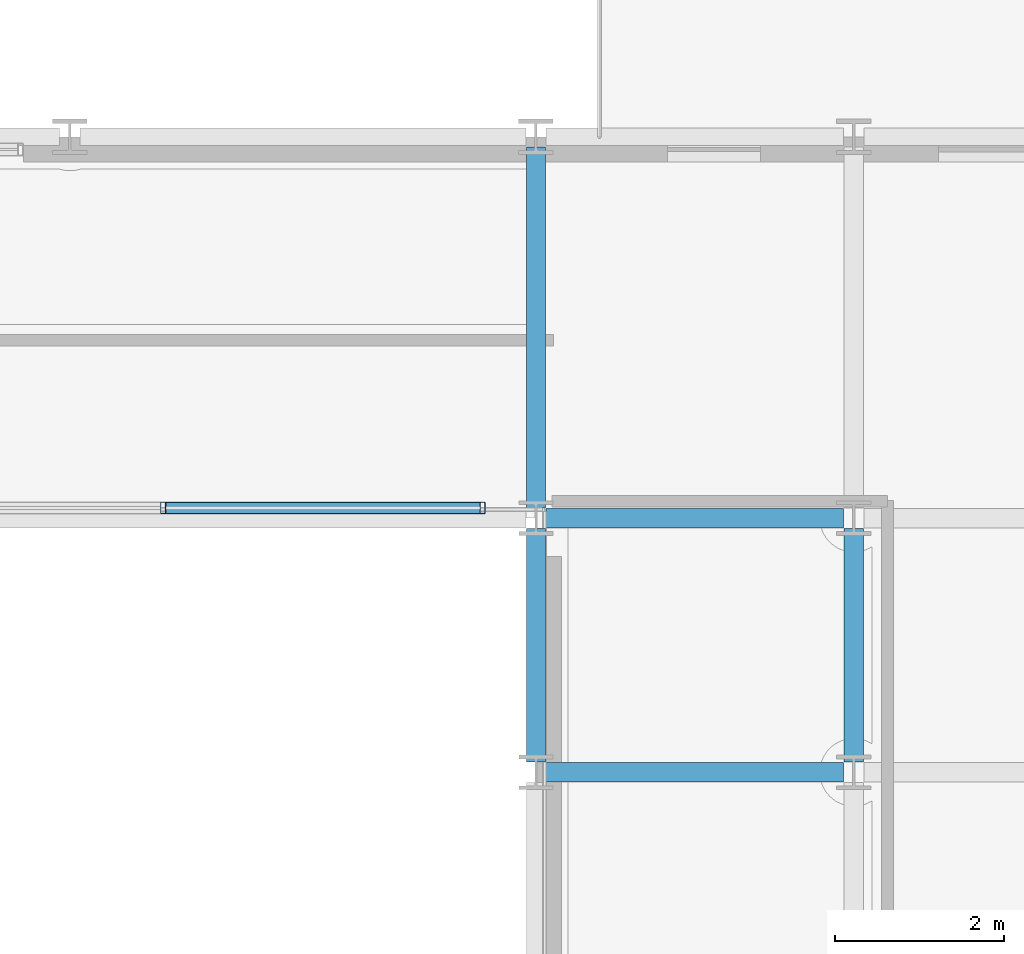
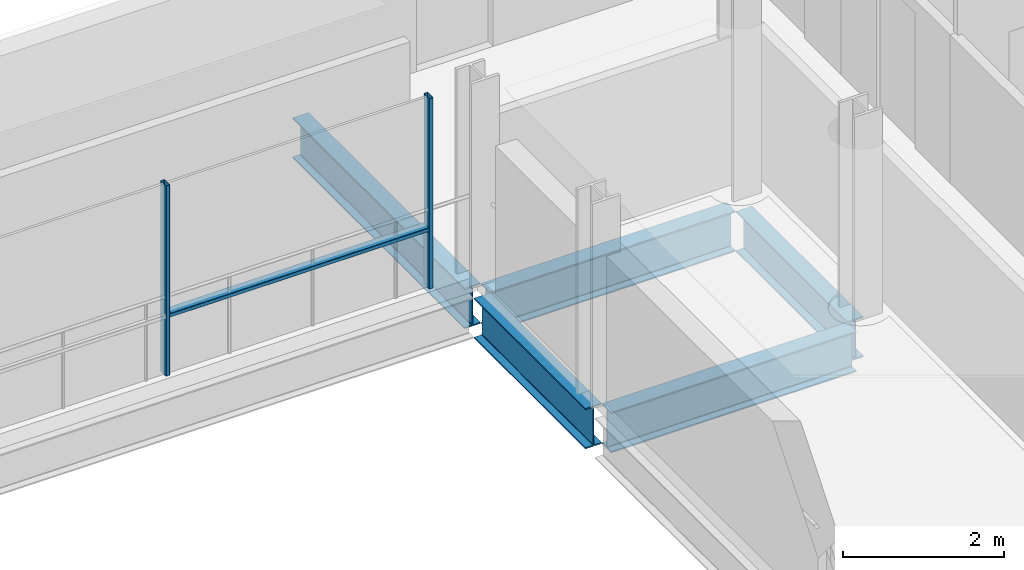
# One storey, part 19 of 41: 5 beams, 3 members, 1 element without a shape of its own.
"""IFC4 building model written with IfcOpenShell, lengths in metres."""

from ifc_helpers import new_model, si_unit, direction, frame, origin, origin_2d, place, context, subcontext, project, spatial, hollow_rectangle, i_section, extrude, material, layer, layer_set, material_profile, profile_set, type_object, element, aggregate, save


model = new_model("IFC4")

# Units and contexts
model_context = context("Model", 3, precision=1e-05, world=origin(), true_north=direction((0.0, 1.0)))
body_context = subcontext(model_context, "Body", "Model", "MODEL_VIEW")
ifc_project = project(units=[si_unit("LENGTHUNIT", "METRE"), si_unit("AREAUNIT", "SQUARE_METRE"), si_unit("VOLUMEUNIT", "CUBIC_METRE"), si_unit("PLANEANGLEUNIT", "RADIAN"), si_unit("MASSUNIT", "GRAM", prefix="KILO")], contexts=[model_context])

# Site, building, storey
site_placement = place(None, origin())
site = spatial("IfcSite", under=ifc_project, at=site_placement, CompositionType="ELEMENT")
building_placement = place(site_placement, origin())
building = spatial("IfcBuilding", under=site, at=building_placement, Name="Brevholm Reach", CompositionType="ELEMENT")
storey_placement = place(building_placement, frame((0.0, 0.0, 151.10009765625)))
storey = spatial("IfcBuildingStorey", under=building, at=storey_placement, Name="L45", CompositionType="ELEMENT", Elevation=151.10009765625)

# Beams
ifc_material_1 = material(Name="Structural Steel S355J2", Category="steel")
ifc_material_profile_1 = material_profile(ifc_material_1, i_section(OverallWidth=0.22900390625, OverallDepth=0.6123046875, WebThickness=0.011962890625, FlangeThickness=0.01953125, FilletRadius=0.0126953125, at=origin_2d()), Name="UKB 610x229x125")
ifc_profile_set_1 = profile_set([ifc_material_profile_1], Name="Structural Steel S355J2")
beam_type = type_object("IfcBeamType", Name="BM-SP610", PredefinedType="SPANDREL", material=ifc_profile_set_1)
for number, where, z_axis, x_axis, name in (
    (1, (38.3701171875, 23.5, -0.526123046875), (1.0, 0.0, 0.0), (0.0, 1.0, 0.0), "L45 SP-01 Framing Beam"),
    (2, (38.3701171875, 26.5, -0.526123046875), (1.0, 0.0, 0.0), (0.0, 1.0, 0.0), "L45 SP-01 Framing Beam"),
):
    element("IfcBeam", number, at=place(storey_placement, frame(where, z_axis=z_axis, x_axis=x_axis)), inside=storey, type_object=beam_type, Name=name, PredefinedType="SPANDREL", context=body_context, shape_type="SweptSolid", body=[
        extrude(i_section(OverallWidth=0.22900390625, OverallDepth=0.6123046875, WebThickness=0.011962890625, FlangeThickness=0.01953125, FilletRadius=0.0126953125, at=origin_2d()), origin(), (0.0, 0.0, 1.0), 3.509765625),
    ])
beam_1_placement = place(storey_placement, frame((38.25, 23.6201171875, -0.526123046875), z_axis=(0.0, 1.0, 0.0), x_axis=(-1.0, 0.0, 0.0)))
element("IfcBeam", 3, at=beam_1_placement, inside=storey, type_object=beam_type, Name="L45 SP-01 Framing Beam", PredefinedType="SPANDREL", context=body_context, shape_type="SweptSolid", body=[
    extrude(i_section(OverallWidth=0.22900390625, OverallDepth=0.6123046875, WebThickness=0.011962890625, FlangeThickness=0.01953125, FilletRadius=0.0126953125, at=origin_2d()), origin(), (0.0, 0.0, 1.0), 2.759765625),
])
beam_2_placement = place(storey_placement, frame((38.25, 26.6201171875, -0.526123046875), z_axis=(0.0, 1.0, 0.0), x_axis=(-1.0, 0.0, 0.0)))
element("IfcBeam", 4, at=beam_2_placement, inside=storey, type_object=beam_type, Name="L45 SP-01 Framing Beam", PredefinedType="SPANDREL", context=body_context, shape_type="SweptSolid", body=[
    extrude(i_section(OverallWidth=0.22900390625, OverallDepth=0.6123046875, WebThickness=0.011962890625, FlangeThickness=0.01953125, FilletRadius=0.0126953125, at=origin_2d()), origin(), (0.0, 0.0, 1.0), 4.259765625),
])
beam_3_placement = place(storey_placement, frame((42.0, 23.6201171875, -0.526123046875), z_axis=(0.0, 1.0, 0.0), x_axis=(-1.0, 0.0, 0.0)))
element("IfcBeam", 5, at=beam_3_placement, inside=storey, type_object=beam_type, Name="L45 SP-01 Framing Beam", PredefinedType="SPANDREL", context=body_context, shape_type="SweptSolid", body=[
    extrude(i_section(OverallWidth=0.22900390625, OverallDepth=0.6123046875, WebThickness=0.011962890625, FlangeThickness=0.01953125, FilletRadius=0.0126953125, at=origin_2d()), origin(), (0.0, 0.0, 1.0), 2.759765625),
])

# Curtain wall, members
ifc_material_2 = material(Name="Dark Anodised Aluminium 6063-T6 and Solar-Control Glass", Category="aluminium")
ifc_layer = layer(ifc_material_2, 0.139892578125)
ifc_layer_set = layer_set([ifc_layer], Name="Dark Anodised Aluminium 6063-T6 and Solar-Control Glass")
curtain_wall_type = type_object("IfcCurtainWallType", Name="CW-02", PredefinedType="NOTDEFINED", material=ifc_layer_set)
curtain_wall_placement = place(storey_placement, origin())
curtain_wall = element("IfcCurtainWall", 6, at=curtain_wall_placement, inside=storey, type_object=curtain_wall_type, Name="L45 Curtain Wall CW-02", PredefinedType="NOTDEFINED")
ifc_material_3 = material(Name="Dark Anodised Aluminium 6063-T6", Category="aluminium")
ifc_material_profile_2 = material_profile(ifc_material_3, hollow_rectangle(XDim=0.06005859375, YDim=0.139892578125, WallThickness=0.0048828125, InnerFilletRadius=0.0048828125, OuterFilletRadius=0.010009765625, at=origin_2d()), Name="RHS 140x60x5")
ifc_profile_set_2 = profile_set([ifc_material_profile_2], Name="Dark Anodised Aluminium 6063-T6")
member_type_1 = type_object("IfcMemberType", Name="CWM-140", PredefinedType="MULLION", material=ifc_profile_set_2)
member_1_placement = place(storey_placement, frame((37.6201171875, 26.6201171875, 0.0), z_axis=(0.0, 0.0, 1.0), x_axis=(-1.0, 0.0, 0.0)))
member_1 = element("IfcMember", 7, at=member_1_placement, type_object=member_type_1, Name="CM-140 Mullion 1", PredefinedType="MULLION", context=body_context, shape_type="SweptSolid", body=[
    extrude(hollow_rectangle(XDim=0.06005859375, YDim=0.139892578125, WallThickness=0.0048828125, InnerFilletRadius=0.0048828125, OuterFilletRadius=0.010009765625, at=origin_2d()), origin(), (0.0, 0.0, 1.0), 2.8798828125),
])
member_2_placement = place(storey_placement, frame((33.85009765625, 26.6201171875, 0.0), z_axis=(0.0, 0.0, 1.0), x_axis=(-1.0, 0.0, 0.0)))
member_2 = element("IfcMember", 8, at=member_2_placement, type_object=member_type_1, Name="CM-140 Mullion 2", PredefinedType="MULLION", context=body_context, shape_type="SweptSolid", body=[
    extrude(hollow_rectangle(XDim=0.06005859375, YDim=0.139892578125, WallThickness=0.0048828125, InnerFilletRadius=0.0048828125, OuterFilletRadius=0.010009765625, at=origin_2d()), origin(), (0.0, 0.0, 1.0), 2.8798828125),
])
ifc_material_4 = material(Name="Dark Anodised Aluminium 6063-T6", Category="aluminium")
ifc_material_profile_3 = material_profile(ifc_material_4, hollow_rectangle(XDim=0.06005859375, YDim=0.139892578125, WallThickness=0.0048828125, InnerFilletRadius=0.0048828125, OuterFilletRadius=0.010009765625, at=origin_2d()), Name="RHS 140x60x5")
ifc_profile_set_3 = profile_set([ifc_material_profile_3], Name="Dark Anodised Aluminium 6063-T6")
member_type_2 = type_object("IfcMemberType", Name="CWT-140", PredefinedType="NOTDEFINED", material=ifc_profile_set_3)
member_3_placement = place(storey_placement, frame((37.590087890625, 26.6201171875, 0.89990234375), z_axis=(-1.0, 0.0, 0.0), x_axis=(0.0, 0.0, 1.0)))
member_3 = element("IfcMember", 9, at=member_3_placement, type_object=member_type_2, Name="CT-140 Transom 1.1", ObjectType="TRANSOM", PredefinedType="USERDEFINED", context=body_context, shape_type="SweptSolid", body=[
    extrude(hollow_rectangle(XDim=0.06005859375, YDim=0.139892578125, WallThickness=0.0048828125, InnerFilletRadius=0.0048828125, OuterFilletRadius=0.010009765625, at=origin_2d()), origin(), (0.0, 0.0, 1.0), 3.710205078125),
])
aggregate(curtain_wall, [member_1, member_2, member_3])

save(model, "model.ifc")
